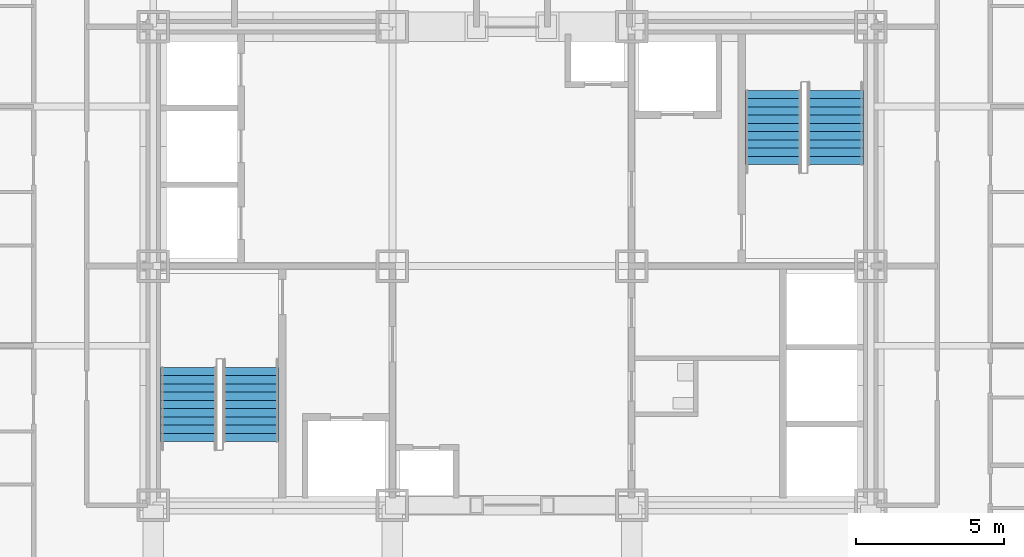
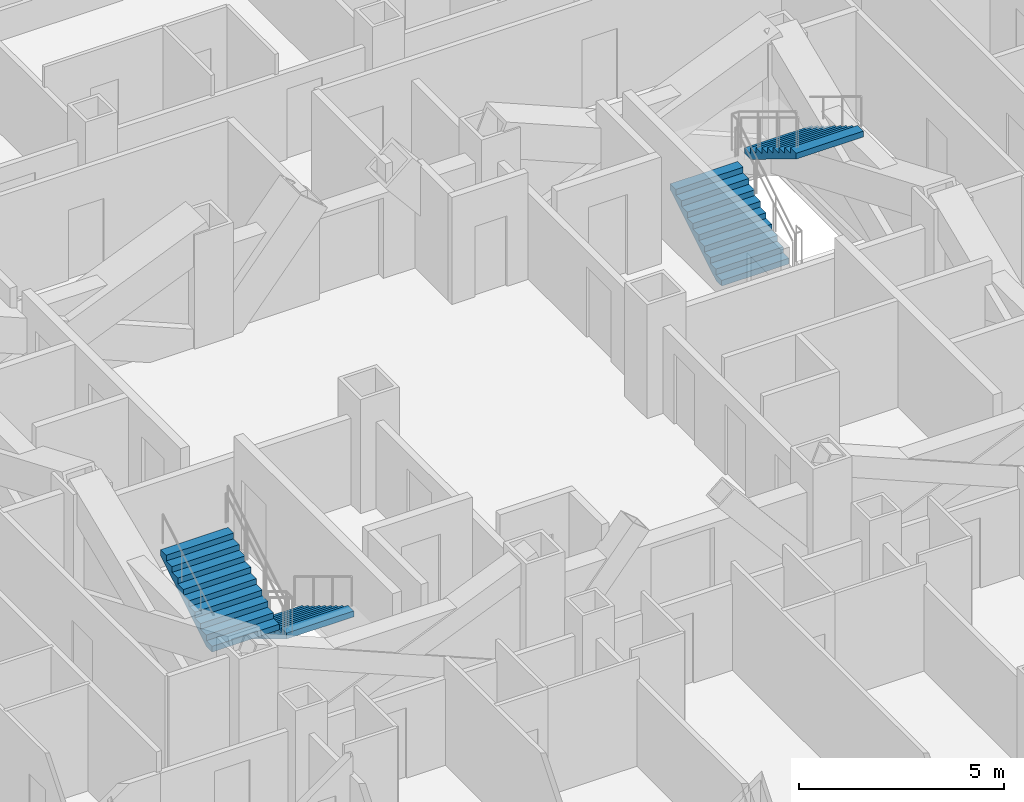
# One storey, part 11 of 13: 4 stair flights, 2 elements without a shape of their own.
"""IFC4 building model written with IfcOpenShell, lengths in metres."""

from ifc_helpers import new_model, si_unit, direction, frame, origin, place, context, subcontext, project, spatial, polygons, source, transform, mapped, material, type_object, element, aggregate, save


model = new_model("IFC4")

# Units and contexts
model_context = context("Model", 3, precision=1e-05, world=origin(), true_north=direction((0.0, 1.0)))
body_context = subcontext(model_context, "Body", "Model", "MODEL_VIEW")
ifc_project = project(units=[si_unit("LENGTHUNIT", "METRE"), si_unit("AREAUNIT", "SQUARE_METRE"), si_unit("VOLUMEUNIT", "CUBIC_METRE"), si_unit("PLANEANGLEUNIT", "RADIAN"), si_unit("MASSUNIT", "GRAM", prefix="KILO")], contexts=[model_context])

# Site, building, storey
site_placement = place(None, origin())
site = spatial("IfcSite", under=ifc_project, at=site_placement, CompositionType="ELEMENT")
building_placement = place(site_placement, origin())
building = spatial("IfcBuilding", under=site, at=building_placement, Name="Kopane Lantern Tower", CompositionType="ELEMENT")
storey_placement = place(building_placement, frame((0.0, 0.0, 110.199951171875)))
storey = spatial("IfcBuildingStorey", under=building, at=storey_placement, Name="L27", CompositionType="ELEMENT", Elevation=110.199951171875)

# Stair, stair flights
ifc_material_1 = material(Name="Steel S355JR", Category="steel")
stair_type = type_object("IfcStairType", Name="EXIT STAIR 1900 HALF TURN", PredefinedType="HALF_TURN_STAIR", material=ifc_material_1)
stair_1_placement = place(storey_placement, origin())
stair_1 = element("IfcStair", 1, at=stair_1_placement, inside=storey, type_object=stair_type, Name="Exit stair ST1 L27", PredefinedType="HALF_TURN_STAIR")
ifc_material_2 = material(Name="Steel S355JR", Category="steel")
stair_flight_type = type_object("IfcStairFlightType", Name="STAIR FLIGHT 1900 STEEL", PredefinedType="STRAIGHT", material=ifc_material_2)
shared_shape = source(origin(), body_context, "Body", "Tessellation", [
    polygons([(2.520019531, 0.949951172, 1.530029297), (2.239990234, 0.949951172, 1.530029297), (2.239990234, -0.949951172, 1.530029297), (2.520019531, -0.949951172, 1.530029297), (0.288818359, 0.949951172, 0.0), (2.520019531, 0.949951172, 1.354736328), (2.520019531, -0.949951172, 1.354736328), (0.288818359, -0.949951172, 0.0), (0.0, 0.949951172, 0.0), (0.0, -0.949951172, 0.0), (0.280029297, 0.949951172, 0.169921875), (0.0, 0.949951172, 0.169921875), (0.0, -0.949951172, 0.169921875), (0.280029297, -0.949951172, 0.169921875), (0.280029297, 0.949951172, 0.340087891), (0.280029297, -0.949951172, 0.340087891), (0.560058594, 0.949951172, 0.340087891), (0.560058594, -0.949951172, 0.340087891), (0.560058594, 0.949951172, 0.510009766), (0.560058594, -0.949951172, 0.510009766), (0.840087891, 0.949951172, 0.510009766), (0.840087891, -0.949951172, 0.510009766), (0.840087891, 0.949951172, 0.679931641), (0.840087891, -0.949951172, 0.679931641), (1.120117188, 0.949951172, 0.679931641), (1.120117188, -0.949951172, 0.679931641), (1.120117188, 0.949951172, 0.850097656), (1.120117188, -0.949951172, 0.850097656), (1.399902344, 0.949951172, 0.850097656), (1.399902344, -0.949951172, 0.850097656), (1.399902344, 0.949951172, 1.020019531), (1.399902344, -0.949951172, 1.020019531), (1.679931641, 0.949951172, 1.020019531), (1.679931641, -0.949951172, 1.020019531), (1.679931641, 0.949951172, 1.189941406), (1.679931641, -0.949951172, 1.189941406), (1.959960938, 0.949951172, 1.189941406), (1.959960938, -0.949951172, 1.189941406), (1.959960938, 0.949951172, 1.360107422), (1.959960938, -0.949951172, 1.360107422), (2.239990234, 0.949951172, 1.360107422), (2.239990234, -0.949951172, 1.360107422), (0.0, 0.0, 0.004592483), (0.0, 0.0, 0.009184966), (0.0, 0.0, 0.013777449), (0.0, 0.0, 0.018369932), (0.0, 0.0, 0.022962416), (0.0, 0.0, 0.027554899), (0.0, 0.0, 0.032147382), (0.0, 0.0, 0.036739865), (0.0, 0.0, 0.041332348), (0.0, 0.0, 0.045924831), (0.0, 0.0, 0.050517314), (0.0, 0.0, 0.055109797), (0.0, 0.0, 0.05970228), (0.0, 0.0, 0.064294764), (0.0, 0.0, 0.068887247), (0.0, 0.0, 0.07347973), (0.0, 0.0, 0.078072213), (0.0, 0.0, 0.082664696), (0.0, 0.0, 0.087257179), (0.0, 0.0, 0.091849662), (0.0, 0.0, 0.096442145), (0.0, 0.0, 0.101034628), (0.0, 0.0, 0.105627111), (0.0, 0.0, 0.110219595), (0.0, 0.0, 0.114812078), (0.0, 0.0, 0.119404561), (0.0, 0.0, 0.123997044), (0.0, 0.0, 0.128589527), (0.0, 0.0, 0.13318201), (0.0, 0.0, 0.137774493), (0.0, 0.0, 0.142366976), (0.0, 0.0, 0.146959459), (0.0, 0.0, 0.151551943), (0.0, 0.0, 0.156144426), (0.0, 0.0, 0.160736909), (0.0, 0.0, 0.165329392), (2.520019531, 0.0, 1.359473976), (2.520019531, 0.0, 1.364211624), (2.520019531, 0.0, 1.368949272), (2.520019531, 0.0, 1.373686919), (2.520019531, 0.0, 1.378424567), (2.520019531, 0.0, 1.383162215), (2.520019531, 0.0, 1.387899863), (2.520019531, 0.0, 1.392637511), (2.520019531, 0.0, 1.397375158), (2.520019531, 0.0, 1.402112806), (2.520019531, 0.0, 1.406850454), (2.520019531, 0.0, 1.411588102), (2.520019531, 0.0, 1.41632575), (2.520019531, 0.0, 1.421063397), (2.520019531, 0.0, 1.425801045), (2.520019531, 0.0, 1.430538693), (2.520019531, 0.0, 1.435276341), (2.520019531, 0.0, 1.440013989), (2.520019531, 0.0, 1.444751636), (2.520019531, 0.0, 1.449489284), (2.520019531, 0.0, 1.454226932), (2.520019531, 0.0, 1.45896458), (2.520019531, 0.0, 1.463702228), (2.520019531, 0.0, 1.468439875), (2.520019531, 0.0, 1.473177523), (2.520019531, 0.0, 1.477915171), (2.520019531, 0.0, 1.482652819), (2.520019531, 0.0, 1.487390467), (2.520019531, 0.0, 1.492128114), (2.520019531, 0.0, 1.496865762), (2.520019531, 0.0, 1.50160341), (2.520019531, 0.0, 1.506341058), (2.520019531, 0.0, 1.511078706), (2.520019531, 0.0, 1.515816353), (2.520019531, 0.0, 1.520554001), (2.520019531, 0.0, 1.525291649)], [[[1, 2, 3]], [[1, 3, 4]], [[5, 6, 7]], [[5, 7, 8]], [[9, 5, 8]], [[9, 8, 10]], [[11, 12, 13]], [[11, 13, 14]], [[15, 11, 14]], [[15, 14, 16]], [[17, 15, 16]], [[17, 16, 18]], [[19, 17, 18]], [[19, 18, 20]], [[21, 19, 20]], [[21, 20, 22]], [[23, 21, 22]], [[23, 22, 24]], [[25, 23, 24]], [[25, 24, 26]], [[27, 25, 26]], [[27, 26, 28]], [[29, 27, 28]], [[29, 28, 30]], [[31, 29, 30]], [[31, 30, 32]], [[33, 31, 32]], [[33, 32, 34]], [[35, 33, 34]], [[35, 34, 36]], [[37, 35, 36]], [[37, 36, 38]], [[39, 37, 38]], [[39, 38, 40]], [[41, 39, 40]], [[41, 40, 42]], [[2, 41, 42]], [[2, 42, 3]], [[41, 1, 6]], [[37, 41, 6]], [[2, 1, 41]], [[33, 37, 6]], [[39, 41, 37]], [[35, 37, 33]], [[31, 33, 29]], [[5, 21, 25]], [[27, 29, 25]], [[17, 21, 5]], [[23, 25, 21]], [[11, 17, 5]], [[19, 21, 17]], [[9, 11, 5]], [[15, 17, 11]], [[12, 11, 9]], [[6, 5, 25]], [[6, 25, 29]], [[6, 29, 33]], [[7, 4, 42]], [[7, 42, 38]], [[42, 4, 3]], [[7, 38, 34]], [[38, 42, 40]], [[34, 38, 36]], [[30, 34, 32]], [[26, 22, 8]], [[26, 30, 28]], [[8, 22, 18]], [[22, 26, 24]], [[8, 18, 14]], [[18, 22, 20]], [[8, 14, 10]], [[14, 18, 16]], [[10, 14, 13]], [[26, 8, 7]], [[30, 26, 7]], [[34, 30, 7]], [[10, 43, 9]], [[10, 44, 43]], [[9, 43, 44]], [[10, 45, 44]], [[9, 44, 45]], [[10, 46, 45]], [[9, 45, 46]], [[10, 47, 46]], [[9, 46, 47]], [[10, 48, 47]], [[9, 47, 48]], [[10, 49, 48]], [[9, 48, 49]], [[10, 50, 49]], [[9, 49, 50]], [[10, 51, 50]], [[9, 50, 51]], [[10, 52, 51]], [[9, 51, 52]], [[10, 53, 52]], [[9, 52, 53]], [[10, 54, 53]], [[9, 53, 54]], [[10, 55, 54]], [[9, 54, 55]], [[10, 56, 55]], [[9, 55, 56]], [[10, 57, 56]], [[9, 56, 57]], [[10, 58, 57]], [[9, 57, 58]], [[10, 59, 58]], [[9, 58, 59]], [[10, 60, 59]], [[9, 59, 60]], [[10, 61, 60]], [[9, 60, 61]], [[10, 62, 61]], [[9, 61, 62]], [[10, 63, 62]], [[9, 62, 63]], [[10, 64, 63]], [[9, 63, 64]], [[10, 65, 64]], [[9, 64, 65]], [[10, 66, 65]], [[9, 65, 66]], [[10, 67, 66]], [[9, 66, 67]], [[10, 68, 67]], [[9, 67, 68]], [[10, 69, 68]], [[9, 68, 69]], [[10, 70, 69]], [[9, 69, 70]], [[10, 71, 70]], [[9, 70, 71]], [[10, 72, 71]], [[9, 71, 72]], [[10, 73, 72]], [[9, 72, 73]], [[10, 74, 73]], [[9, 73, 74]], [[10, 75, 74]], [[9, 74, 75]], [[10, 76, 75]], [[9, 75, 76]], [[10, 77, 76]], [[9, 76, 77]], [[10, 78, 77]], [[9, 77, 78]], [[10, 13, 78]], [[78, 13, 12]], [[9, 78, 12]], [[7, 6, 79]], [[7, 79, 80]], [[6, 80, 79]], [[7, 80, 81]], [[6, 81, 80]], [[7, 81, 82]], [[6, 82, 81]], [[7, 82, 83]], [[6, 83, 82]], [[7, 83, 84]], [[6, 84, 83]], [[7, 84, 85]], [[6, 85, 84]], [[7, 85, 86]], [[6, 86, 85]], [[7, 86, 87]], [[6, 87, 86]], [[7, 87, 88]], [[6, 88, 87]], [[7, 88, 89]], [[6, 89, 88]], [[7, 89, 90]], [[6, 90, 89]], [[7, 90, 91]], [[6, 91, 90]], [[7, 91, 92]], [[6, 92, 91]], [[7, 92, 93]], [[6, 93, 92]], [[7, 93, 94]], [[6, 94, 93]], [[7, 94, 95]], [[6, 95, 94]], [[7, 95, 96]], [[6, 96, 95]], [[7, 96, 97]], [[6, 97, 96]], [[7, 97, 98]], [[6, 98, 97]], [[7, 98, 99]], [[6, 99, 98]], [[7, 99, 100]], [[6, 100, 99]], [[7, 100, 101]], [[6, 101, 100]], [[7, 101, 102]], [[6, 102, 101]], [[7, 102, 103]], [[6, 103, 102]], [[7, 103, 104]], [[6, 104, 103]], [[7, 104, 105]], [[6, 105, 104]], [[7, 105, 106]], [[6, 106, 105]], [[7, 106, 107]], [[6, 107, 106]], [[7, 107, 108]], [[6, 108, 107]], [[7, 108, 109]], [[6, 109, 108]], [[7, 109, 110]], [[6, 110, 109]], [[7, 110, 111]], [[6, 111, 110]], [[7, 111, 112]], [[6, 112, 111]], [[7, 112, 113]], [[6, 113, 112]], [[7, 113, 114]], [[6, 114, 113]], [[7, 114, 4]], [[114, 1, 4]], [[6, 1, 114]]], closed=True),
])
stair_flight_1_placement = place(storey_placement, frame((19.5, 28.969970703125, 0.0), z_axis=(0.0, 0.0, 1.0), x_axis=(0.0, -1.0, 0.0)))
stair_flight_1 = element("IfcStairFlight", 2, at=stair_flight_1_placement, type_object=stair_flight_type, Name="ST1 flight 1", NumberOfRisers=10, NumberOfTreads=9, PredefinedType="STRAIGHT", RiserHeight=0.17, TreadLength=0.28, context=body_context, shape_type="MappedRepresentation", body=[
    mapped(shared_shape, transform((0.0, 0.0, 0.0))),
])
stair_flight_2_placement = place(storey_placement, frame((17.39990234375, 26.449951171875, 1.699951171875), z_axis=(0.0, 0.0, 1.0), x_axis=(0.0, 1.0, 0.0)))
stair_flight_2 = element("IfcStairFlight", 3, at=stair_flight_2_placement, type_object=stair_flight_type, Name="ST1 flight 2", NumberOfRisers=10, NumberOfTreads=9, PredefinedType="STRAIGHT", RiserHeight=0.17, TreadLength=0.28, context=body_context, shape_type="MappedRepresentation", body=[
    mapped(shared_shape, transform((0.0, 0.0, 0.0))),
])
aggregate(stair_1, [stair_flight_1, stair_flight_2])

stair_2_placement = place(storey_placement, origin())
stair_2 = element("IfcStair", 4, at=stair_2_placement, inside=storey, type_object=stair_type, Name="Exit stair ST2 L27", PredefinedType="HALF_TURN_STAIR")
stair_flight_3_placement = place(storey_placement, frame((37.199951171875, 35.830078125, 0.0), z_axis=(0.0, 0.0, 1.0), x_axis=(0.0, 1.0, 0.0)))
stair_flight_3 = element("IfcStairFlight", 5, at=stair_flight_3_placement, type_object=stair_flight_type, Name="ST2 flight 1", NumberOfRisers=10, NumberOfTreads=9, PredefinedType="STRAIGHT", RiserHeight=0.17, TreadLength=0.28, context=body_context, shape_type="MappedRepresentation", body=[
    mapped(shared_shape, transform((0.0, 0.0, 0.0))),
])
stair_flight_4_placement = place(storey_placement, frame((39.300048828125, 38.35009765625, 1.699951171875), z_axis=(0.0, 0.0, 1.0), x_axis=(0.0, -1.0, 0.0)))
stair_flight_4 = element("IfcStairFlight", 6, at=stair_flight_4_placement, type_object=stair_flight_type, Name="ST2 flight 2", NumberOfRisers=10, NumberOfTreads=9, PredefinedType="STRAIGHT", RiserHeight=0.17, TreadLength=0.28, context=body_context, shape_type="MappedRepresentation", body=[
    mapped(shared_shape, transform((0.0, 0.0, 0.0))),
])
aggregate(stair_2, [stair_flight_3, stair_flight_4])

save(model, "model.ifc")
